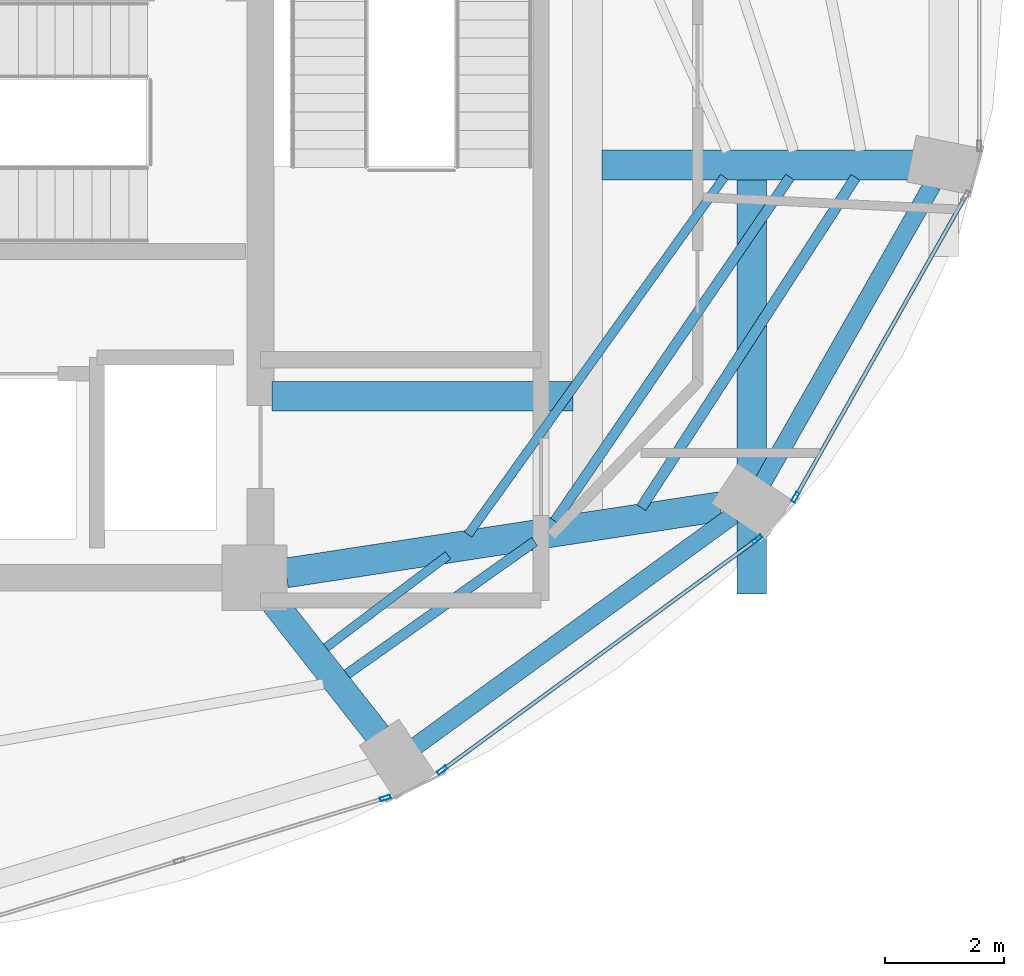
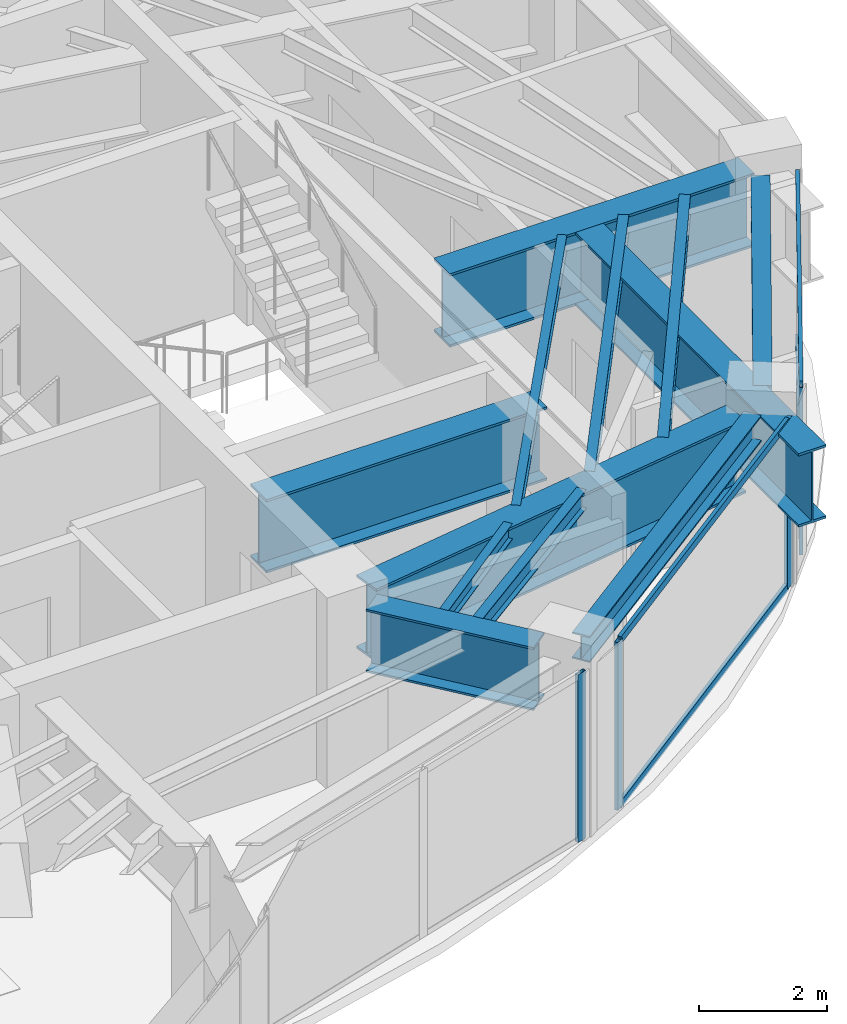
# One storey, part 13 of 23: 12 beams, 8 members, 3 elements without a shape of their own.
"""IFC4 building model written with IfcOpenShell, lengths in metres."""

from ifc_helpers import new_model, si_unit, direction, frame, origin, origin_2d, place, context, subcontext, project, spatial, hollow_rectangle, i_section, extrude, material, layer, layer_set, material_profile, profile_set, type_object, element, aggregate, save


model = new_model("IFC4")

# Units and contexts
model_context = context("Model", 3, precision=1e-05, world=origin(), true_north=direction((0.0, 1.0)))
body_context = subcontext(model_context, "Body", "Model", "MODEL_VIEW")
ifc_project = project(units=[si_unit("LENGTHUNIT", "METRE"), si_unit("AREAUNIT", "SQUARE_METRE"), si_unit("VOLUMEUNIT", "CUBIC_METRE"), si_unit("PLANEANGLEUNIT", "RADIAN"), si_unit("MASSUNIT", "GRAM", prefix="KILO")], contexts=[model_context])

# Site, building, storey
site_placement = place(None, origin())
site = spatial("IfcSite", under=ifc_project, at=site_placement, CompositionType="ELEMENT")
building_placement = place(site_placement, origin())
building = spatial("IfcBuilding", under=site, at=building_placement, Name="Lazwardi Medical Tower", CompositionType="ELEMENT")
storey_placement = place(building_placement, frame((0.0, 0.0, 265.968017578125)))
storey = spatial("IfcBuildingStorey", under=building, at=storey_placement, Name="L69", CompositionType="ELEMENT", Elevation=265.968017578125)

# Beams
ifc_material_1 = material(Name="Steel S355", Category="steel")
ifc_material_profile_1 = material_profile(ifc_material_1, i_section(OverallWidth=0.300048828125, OverallDepth=0.5, WebThickness=0.014404296875, FlangeThickness=0.028076171875, at=origin_2d()), Name="HEB 500")
ifc_profile_set_1 = profile_set([ifc_material_profile_1], Name="Steel S355")
beam_type_1 = type_object("IfcBeamType", Name="BM-RB-Z4", PredefinedType="BEAM", material=ifc_profile_set_1)
beam_1_placement = place(storey_placement, frame((48.31591796875, 17.5751953125, 2.947998046875), z_axis=(0.808889916254, 0.587960120571, 0.0), x_axis=(-0.587960120571, 0.808889916254, 0.0)))
element("IfcBeam", 1, at=beam_1_placement, inside=storey, type_object=beam_type_1, Name="Ring beam RB-05 B02 L69", PredefinedType="BEAM", context=body_context, shape_type="SweptSolid", body=[
    extrude(i_section(OverallWidth=0.300048828125, OverallDepth=0.5, WebThickness=0.014404296875, FlangeThickness=0.028076171875, at=origin_2d()), origin(), (0.0, 0.0, 1.0), 6.587158203125),
])
beam_2_placement = place(storey_placement, frame((54.15283203125, 22.016357421875, 2.947998046875), z_axis=(0.495125273299, 0.868821594886, 0.0), x_axis=(-0.868821594886, 0.495125273299, 0.0)))
element("IfcBeam", 2, at=beam_2_placement, inside=storey, type_object=beam_type_1, Name="Ring beam RB-05 B03 L69", PredefinedType="BEAM", context=body_context, shape_type="SweptSolid", body=[
    extrude(i_section(OverallWidth=0.300048828125, OverallDepth=0.5, WebThickness=0.014404296875, FlangeThickness=0.028076171875, at=origin_2d()), origin(), (0.0, 0.0, 1.0), 5.734130859375),
])
ifc_material_profile_2 = material_profile(ifc_material_1, i_section(OverallWidth=0.179931640625, OverallDepth=0.39990234375, WebThickness=0.008544921875, FlangeThickness=0.013427734375, at=origin_2d()), Name="IPE 400")
ifc_profile_set_2 = profile_set([ifc_material_profile_2], Name="Steel S355")
beam_type_2 = type_object("IfcBeamType", Name="BM-SJ-01", PredefinedType="JOIST", material=ifc_profile_set_2)
beam_3_placement = place(storey_placement, frame((52.103759765625, 21.5791015625, 2.998046875), z_axis=(0.544003699779, 0.839082817502, 0.0), x_axis=(-0.839082817502, 0.544003699779, 0.0)))
element("IfcBeam", 3, at=beam_3_placement, inside=storey, type_object=beam_type_2, Name="Secondary joist SJ-01 R1 B03 L69", PredefinedType="JOIST", context=body_context, shape_type="SweptSolid", body=[
    extrude(i_section(OverallWidth=0.179931640625, OverallDepth=0.39990234375, WebThickness=0.008544921875, FlangeThickness=0.013427734375, at=origin_2d()), origin(), (0.0, 0.0, 1.0), 6.617431640625),
])
ifc_material_profile_3 = material_profile(ifc_material_1, i_section(OverallWidth=0.169921875, OverallDepth=0.360107421875, WebThickness=0.008056640625, FlangeThickness=0.0126953125, at=origin_2d()), Name="IPE 360")
ifc_profile_set_3 = profile_set([ifc_material_profile_3], Name="Steel S355")
beam_type_3 = type_object("IfcBeamType", Name="BM-SJ-02", PredefinedType="JOIST", material=ifc_profile_set_3)
beam_4_placement = place(storey_placement, frame((47.15380859375, 18.778564453125, 3.01806640625), z_axis=(0.816659629584, 0.577119614471, 0.0), x_axis=(-0.577119614471, 0.816659629584, 0.0)))
element("IfcBeam", 4, at=beam_4_placement, inside=storey, type_object=beam_type_3, Name="Secondary joist SJ-02 R2 B02 L69", PredefinedType="JOIST", context=body_context, shape_type="SweptSolid", body=[
    extrude(i_section(OverallWidth=0.169921875, OverallDepth=0.360107421875, WebThickness=0.008056640625, FlangeThickness=0.0126953125, at=origin_2d()), origin(), (0.0, 0.0, 1.0), 3.86474609375),
])
beam_5_placement = place(storey_placement, frame((50.648193359375, 21.3525390625, 3.01806640625), z_axis=(0.56430772502, 0.825564528963, 0.0), x_axis=(-0.825564528963, 0.56430772502, 0.0)))
element("IfcBeam", 5, at=beam_5_placement, inside=storey, type_object=beam_type_3, Name="Secondary joist SJ-02 R2 B03 L69", PredefinedType="JOIST", context=body_context, shape_type="SweptSolid", body=[
    extrude(i_section(OverallWidth=0.169921875, OverallDepth=0.360107421875, WebThickness=0.008056640625, FlangeThickness=0.0126953125, at=origin_2d()), origin(), (0.0, 0.0, 1.0), 7.00390625),
])
ifc_material_profile_4 = material_profile(ifc_material_1, i_section(OverallWidth=0.14990234375, OverallDepth=0.300048828125, WebThickness=0.007080078125, FlangeThickness=0.0107421875, at=origin_2d()), Name="IPE 300")
ifc_profile_set_4 = profile_set([ifc_material_profile_4], Name="Steel S355")
beam_type_4 = type_object("IfcBeamType", Name="BM-SJ-03", PredefinedType="JOIST", material=ifc_profile_set_4)
beam_6_placement = place(storey_placement, frame((46.8017578125, 19.22705078125, 3.048095703125), z_axis=(0.797591421791, 0.603198080141, 0.0), x_axis=(-0.603198080141, 0.797591421791, 0.0)))
element("IfcBeam", 6, at=beam_6_placement, inside=storey, type_object=beam_type_4, Name="Secondary joist SJ-03 R3 B02 L69", PredefinedType="JOIST", context=body_context, shape_type="SweptSolid", body=[
    extrude(i_section(OverallWidth=0.14990234375, OverallDepth=0.300048828125, WebThickness=0.007080078125, FlangeThickness=0.0107421875, at=origin_2d()), origin(), (0.0, 0.0, 1.0), 2.5732421875),
])
beam_7_placement = place(storey_placement, frame((49.1923828125, 21.126220703125, 3.048095703125), z_axis=(0.582296432278, 0.812976546375, 0.0), x_axis=(-0.812976546375, 0.582296432278, 0.0)))
element("IfcBeam", 7, at=beam_7_placement, inside=storey, type_object=beam_type_4, Name="Secondary joist SJ-03 R3 B03 L69", PredefinedType="JOIST", context=body_context, shape_type="SweptSolid", body=[
    extrude(i_section(OverallWidth=0.14990234375, OverallDepth=0.300048828125, WebThickness=0.007080078125, FlangeThickness=0.0107421875, at=origin_2d()), origin(), (0.0, 0.0, 1.0), 7.394775390625),
])
ifc_material_2 = material(Name="Steel S460", Category="steel")
ifc_material_profile_5 = material_profile(ifc_material_2, i_section(OverallWidth=0.5, OverallDepth=1.39990234375, WebThickness=0.028076171875, FlangeThickness=0.044921875, at=origin_2d()), Name="PG 1400x500")
ifc_profile_set_5 = profile_set([ifc_material_profile_5], Name="Steel S460")
beam_type_5 = type_object("IfcBeamType", Name="BM-TG-01", PredefinedType="BEAM", material=ifc_profile_set_5)
beam_8_placement = place(storey_placement, frame((53.430908203125, 21.5966796875, 2.498046875), z_axis=(-0.988522137285, -0.151076087115, 0.0), x_axis=(0.151076087115, -0.988522137285, 0.0)))
element("IfcBeam", 8, at=beam_8_placement, inside=storey, type_object=beam_type_5, Name="Transfer girder TG-01 M03 L69", PredefinedType="BEAM", context=body_context, shape_type="SweptSolid", body=[
    extrude(i_section(OverallWidth=0.5, OverallDepth=1.39990234375, WebThickness=0.028076171875, FlangeThickness=0.044921875, at=origin_2d()), origin(), (0.0, 0.0, 1.0), 7.38671875),
])
beam_9_placement = place(storey_placement, frame((45.89501953125, 23.449951171875, 2.498046875), z_axis=(1.0, 0.0, 0.0), x_axis=(0.0, 1.0, 0.0)))
element("IfcBeam", 9, at=beam_9_placement, inside=storey, type_object=beam_type_5, Name="Transfer girder TG-01 ST3S L69", PredefinedType="BEAM", context=body_context, shape_type="SweptSolid", body=[
    extrude(i_section(OverallWidth=0.5, OverallDepth=1.39990234375, WebThickness=0.028076171875, FlangeThickness=0.044921875, at=origin_2d()), origin(), (0.0, 0.0, 1.0), 5.06005859375),
])
beam_10_placement = place(storey_placement, frame((53.959716796875, 20.1298828125, 2.498046875), z_axis=(0.0, 1.0, 0.0), x_axis=(-1.0, 0.0, 0.0)))
element("IfcBeam", 10, at=beam_10_placement, inside=storey, type_object=beam_type_5, Name="Transfer girder TG-01 M03S L69", PredefinedType="BEAM", context=body_context, shape_type="SweptSolid", body=[
    extrude(i_section(OverallWidth=0.5, OverallDepth=1.39990234375, WebThickness=0.028076171875, FlangeThickness=0.044921875, at=origin_2d()), origin(), (0.0, 0.0, 1.0), 7.207275390625),
])
beam_11_placement = place(storey_placement, frame((56.93505859375, 27.337158203125, 2.498046875), z_axis=(-1.0, 0.0, 0.0), x_axis=(0.0, -1.0, 0.0)))
element("IfcBeam", 11, at=beam_11_placement, inside=storey, type_object=beam_type_5, Name="Transfer girder TG-01 M04 L69", PredefinedType="BEAM", context=body_context, shape_type="SweptSolid", body=[
    extrude(i_section(OverallWidth=0.5, OverallDepth=1.39990234375, WebThickness=0.028076171875, FlangeThickness=0.044921875, at=origin_2d()), origin(), (0.0, 0.0, 1.0), 5.489990234375),
])
ifc_material_profile_6 = material_profile(ifc_material_2, i_section(OverallWidth=0.449951171875, OverallDepth=1.199951171875, WebThickness=0.02490234375, FlangeThickness=0.0400390625, at=origin_2d()), Name="PG 1200x450")
ifc_profile_set_6 = profile_set([ifc_material_profile_6], Name="Steel S460")
beam_type_6 = type_object("IfcBeamType", Name="BM-TG-02", PredefinedType="BEAM", material=ifc_profile_set_6)
beam_12_placement = place(storey_placement, frame((47.669677734375, 17.7666015625, 2.597900390625), z_axis=(-0.617890508382, 0.786264153864, 0.0), x_axis=(-0.786264153864, -0.617890508382, 0.0)))
element("IfcBeam", 12, at=beam_12_placement, inside=storey, type_object=beam_type_6, Name="Transfer girder TG-02 M02 L69", PredefinedType="BEAM", context=body_context, shape_type="SweptSolid", body=[
    extrude(i_section(OverallWidth=0.449951171875, OverallDepth=1.199951171875, WebThickness=0.02490234375, FlangeThickness=0.0400390625, at=origin_2d()), origin(), (0.0, 0.0, 1.0), 2.814453125),
])

# Curtain wall, member
ifc_material_3 = material(Name="Anodised bronze aluminium and solar control glazing", Category="aluminium")
ifc_layer = layer(ifc_material_3, 0.18994140625)
ifc_layer_set = layer_set([ifc_layer], Name="Anodised bronze aluminium and solar control glazing")
curtain_wall_type = type_object("IfcCurtainWallType", Name="CW-SYS-04", PredefinedType="NOTDEFINED", material=ifc_layer_set)
curtain_wall_1_placement = place(storey_placement, origin())
curtain_wall_1 = element("IfcCurtainWall", 13, at=curtain_wall_1_placement, inside=storey, type_object=curtain_wall_type, Name="L69 Unitised bronze curtain wall CW-04", PredefinedType="NOTDEFINED")
ifc_material_4 = material(Name="Anodised bronze aluminium", Category="aluminium")
ifc_material_profile_7 = material_profile(ifc_material_4, hollow_rectangle(XDim=0.06494140625, YDim=0.179931640625, WallThickness=0.00390625, at=origin_2d()), Name="ALU-MULLION 180x65x4")
ifc_profile_set_7 = profile_set([ifc_material_profile_7], Name="Anodised bronze aluminium")
member_type_1 = type_object("IfcMemberType", Name="CW-MUL-03", PredefinedType="MULLION", material=ifc_profile_set_7)
member_1_placement = place(storey_placement, frame((47.7998046875, 16.696533203125, 0.0), z_axis=(0.0, 0.0, 1.0), x_axis=(-0.290581889515, 0.956850126972, 0.0)))
member_1 = element("IfcMember", 14, at=member_1_placement, type_object=member_type_1, Name="CW-04 mullion 3", PredefinedType="MULLION", context=body_context, shape_type="SweptSolid", body=[
    extrude(hollow_rectangle(XDim=0.06494140625, YDim=0.179931640625, WallThickness=0.00390625, at=origin_2d()), origin(), (0.0, 0.0, 1.0), 3.197998046875),
])
aggregate(curtain_wall_1, [member_1])

# Curtain wall, members
curtain_wall_2_placement = place(storey_placement, origin())
curtain_wall_2 = element("IfcCurtainWall", 15, at=curtain_wall_2_placement, inside=storey, type_object=curtain_wall_type, Name="L69 Unitised bronze curtain wall CW-04", PredefinedType="NOTDEFINED")
member_2_placement = place(storey_placement, frame((48.75537109375, 17.1650390625, 0.0), z_axis=(0.0, 0.0, 1.0), x_axis=(-0.591268230971, 0.806474971121, 0.0)))
member_2 = element("IfcMember", 16, at=member_2_placement, type_object=member_type_1, Name="CW-04 mullion 1", PredefinedType="MULLION", context=body_context, shape_type="SweptSolid", body=[
    extrude(hollow_rectangle(XDim=0.06494140625, YDim=0.179931640625, WallThickness=0.00390625, at=origin_2d()), origin(), (0.0, 0.0, 1.0), 3.197998046875),
])
member_3_placement = place(storey_placement, frame((54.052001953125, 21.04833984375, 0.0), z_axis=(0.0, 0.0, 1.0), x_axis=(-0.591268230971, 0.806474971121, 0.0)))
member_3 = element("IfcMember", 17, at=member_3_placement, type_object=member_type_1, Name="CW-04 mullion 2", PredefinedType="MULLION", context=body_context, shape_type="SweptSolid", body=[
    extrude(hollow_rectangle(XDim=0.06494140625, YDim=0.179931640625, WallThickness=0.00390625, at=origin_2d()), origin(), (0.0, 0.0, 1.0), 3.197998046875),
])

# Curtain wall, member
curtain_wall_3_placement = place(storey_placement, origin())
curtain_wall_3 = element("IfcCurtainWall", 18, at=curtain_wall_3_placement, inside=storey, type_object=curtain_wall_type, Name="L69 Unitised bronze curtain wall CW-04", PredefinedType="NOTDEFINED")
member_4_placement = place(storey_placement, frame((54.6943359375, 21.75439453125, 0.0), z_axis=(0.0, 0.0, 1.0), x_axis=(-0.870651436011, 0.491900474661, 0.0)))
member_4 = element("IfcMember", 19, at=member_4_placement, type_object=member_type_1, Name="CW-04 mullion 1", PredefinedType="MULLION", context=body_context, shape_type="SweptSolid", body=[
    extrude(hollow_rectangle(XDim=0.06494140625, YDim=0.179931640625, WallThickness=0.00390625, at=origin_2d()), origin(), (0.0, 0.0, 1.0), 3.197998046875),
])

# Member
ifc_material_profile_8 = material_profile(ifc_material_4, hollow_rectangle(XDim=0.06494140625, YDim=0.139892578125, WallThickness=0.00341796875, at=origin_2d()), Name="ALU-TRANSOM 140x65x3.5")
ifc_profile_set_8 = profile_set([ifc_material_profile_8], Name="Anodised bronze aluminium")
member_type_2 = type_object("IfcMemberType", Name="CW-TRN-03", PredefinedType="USERDEFINED", material=ifc_profile_set_8)
member_5_placement = place(storey_placement, frame((48.781494140625, 17.184326171875, 0.032470703125), z_axis=(0.80648973359, 0.591248094808, 0.0), x_axis=(-0.591248094808, 0.80648973359, 0.0)))
member_5 = element("IfcMember", 20, at=member_5_placement, type_object=member_type_2, Name="CW-04 transom 1.1", ObjectType="TRANSOM", PredefinedType="USERDEFINED", context=body_context, shape_type="SweptSolid", body=[
    extrude(hollow_rectangle(XDim=0.06494140625, YDim=0.139892578125, WallThickness=0.00341796875, at=origin_2d()), origin(), (0.0, 0.0, 1.0), 6.502685546875),
])

member_6_placement = place(storey_placement, frame((48.781494140625, 17.184326171875, 3.16552734375), z_axis=(0.80648973359, 0.591248094808, 0.0), x_axis=(-0.591248094808, 0.80648973359, 0.0)))
member_6 = element("IfcMember", 21, at=member_6_placement, type_object=member_type_2, Name="CW-04 transom 1.2", ObjectType="TRANSOM", PredefinedType="USERDEFINED", context=body_context, shape_type="SweptSolid", body=[
    extrude(hollow_rectangle(XDim=0.06494140625, YDim=0.139892578125, WallThickness=0.00341796875, at=origin_2d()), origin(), (0.0, 0.0, 1.0), 6.502685546875),
])

aggregate(curtain_wall_2, [member_2, member_3, member_5, member_6])

member_7_placement = place(storey_placement, frame((54.71044921875, 21.78271484375, 0.032470703125), z_axis=(0.491879719484, 0.87066316194, 0.0), x_axis=(-0.87066316194, 0.491879719484, 0.0)))
member_7 = element("IfcMember", 22, at=member_7_placement, type_object=member_type_2, Name="CW-04 transom 1.1", ObjectType="TRANSOM", PredefinedType="USERDEFINED", context=body_context, shape_type="SweptSolid", body=[
    extrude(hollow_rectangle(XDim=0.06494140625, YDim=0.139892578125, WallThickness=0.00341796875, at=origin_2d()), origin(), (0.0, 0.0, 1.0), 5.755126953125),
])

member_8_placement = place(storey_placement, frame((54.71044921875, 21.78271484375, 3.16552734375), z_axis=(0.491879719484, 0.87066316194, 0.0), x_axis=(-0.87066316194, 0.491879719484, 0.0)))
member_8 = element("IfcMember", 23, at=member_8_placement, type_object=member_type_2, Name="CW-04 transom 1.2", ObjectType="TRANSOM", PredefinedType="USERDEFINED", context=body_context, shape_type="SweptSolid", body=[
    extrude(hollow_rectangle(XDim=0.06494140625, YDim=0.139892578125, WallThickness=0.00341796875, at=origin_2d()), origin(), (0.0, 0.0, 1.0), 5.755126953125),
])

aggregate(curtain_wall_3, [member_4, member_7, member_8])

save(model, "model.ifc")
